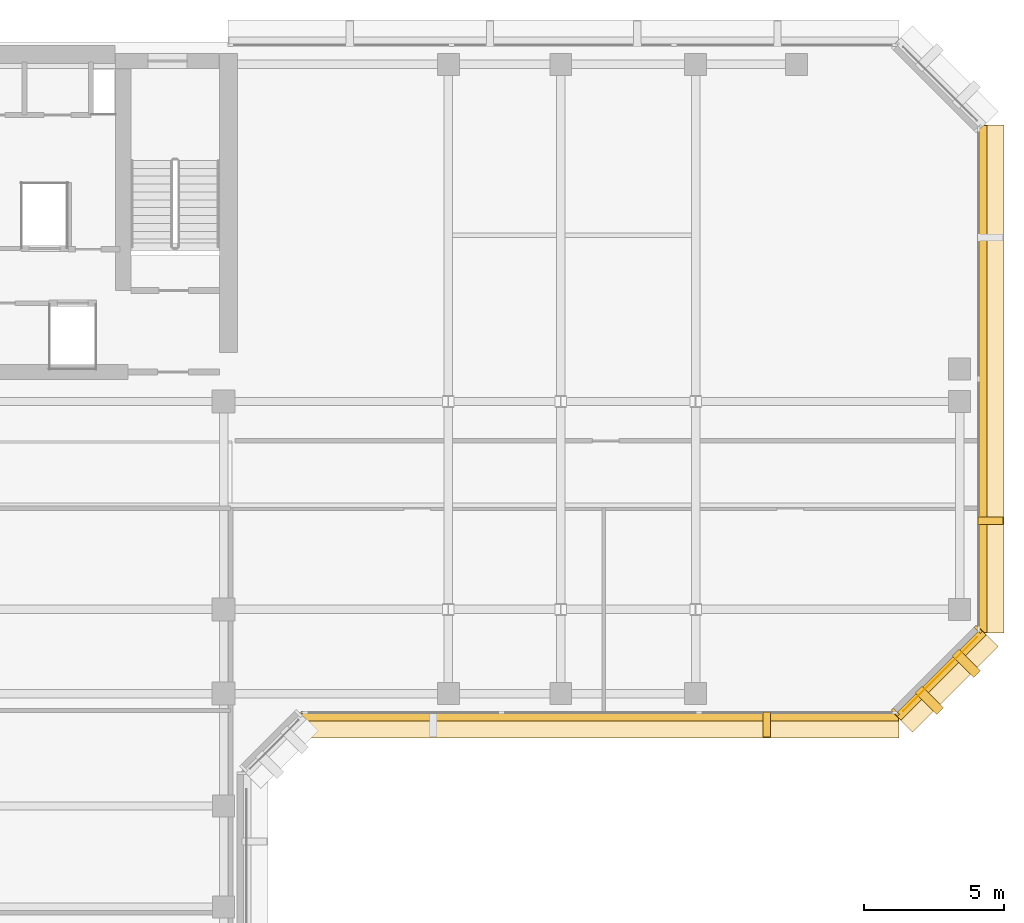
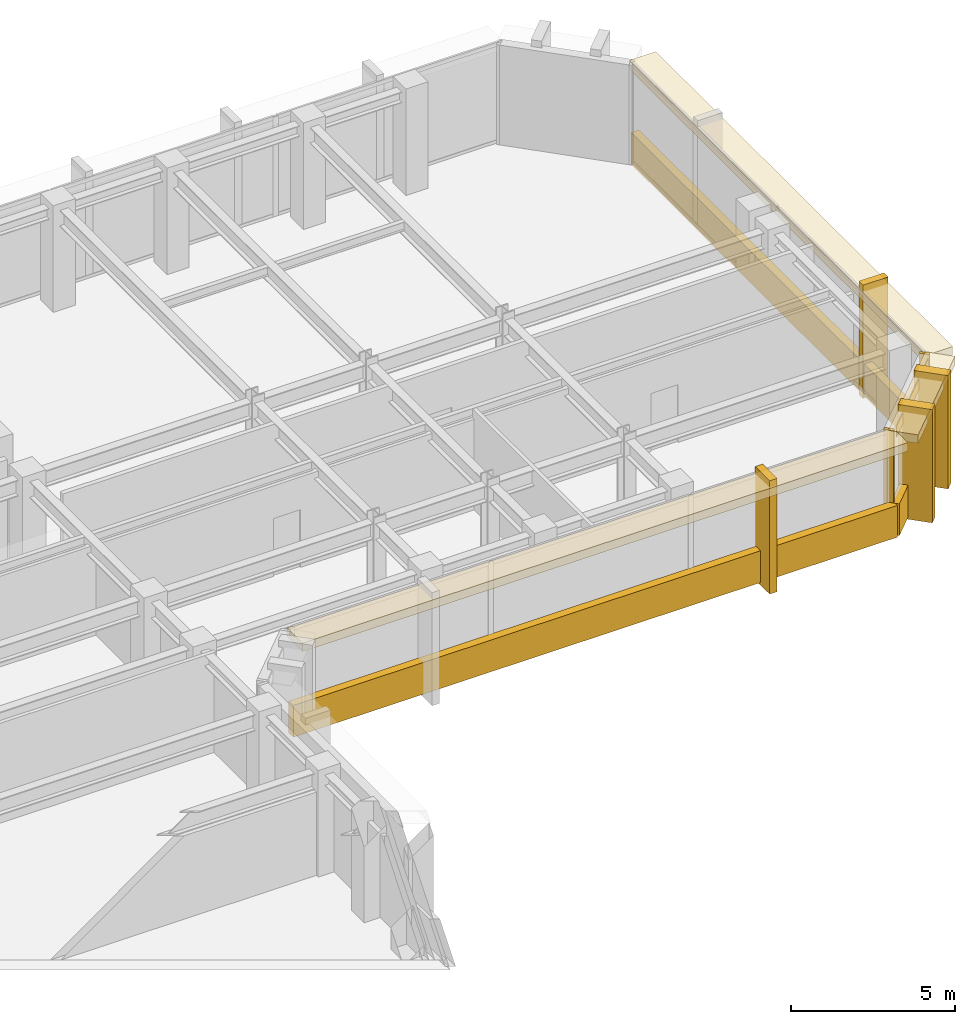
# One storey, part 10 of 12: 13 coverings.
"""IFC4 building model written with IfcOpenShell, lengths in metres."""

from ifc_helpers import new_model, si_unit, direction, frame, origin, origin_2d, place, context, subcontext, project, spatial, rectangle, extrude, material, layer, layer_set, type_object, element, save


model = new_model("IFC4")

# Units and contexts
model_context = context("Model", 3, precision=1e-05, world=origin(), true_north=direction((0.0, 1.0)))
body_context = subcontext(model_context, "Body", "Model", "MODEL_VIEW")
ifc_project = project(units=[si_unit("LENGTHUNIT", "METRE"), si_unit("AREAUNIT", "SQUARE_METRE"), si_unit("VOLUMEUNIT", "CUBIC_METRE"), si_unit("PLANEANGLEUNIT", "RADIAN"), si_unit("MASSUNIT", "GRAM", prefix="KILO")], contexts=[model_context])

# Site, building, storey
site_placement = place(None, origin())
site = spatial("IfcSite", under=ifc_project, at=site_placement, CompositionType="ELEMENT")
building_placement = place(site_placement, origin())
building = spatial("IfcBuilding", under=site, at=building_placement, Name="Kefirva Bronze Tower", CompositionType="ELEMENT")
storey_placement = place(building_placement, frame((0.0, 0.0, 264.330078125)))
storey = spatial("IfcBuildingStorey", under=building, at=storey_placement, Name="L64", CompositionType="ELEMENT", Elevation=264.330078125)

# Coverings
ifc_material = material(Name="Bronze anodised aluminium", Category="aluminium")
ifc_layer_1 = layer(ifc_material, 0.02001953125, Name="Bronze anodised aluminium")
ifc_layer_set_1 = layer_set([ifc_layer_1], Name="Bronze anodised aluminium")
covering_type_1 = type_object("IfcCoveringType", Name="Anodised Bronze Spandrel Cladding 20mm", PredefinedType="CLADDING", material=ifc_layer_set_1)
covering_1_placement = place(storey_placement, frame((36.60009765625, 21.9599609375, -0.16015625), z_axis=(0.0, 0.0, 1.0), x_axis=(1.0, 0.0, 0.0)))
element("IfcCovering", 1, at=covering_1_placement, inside=storey, type_object=covering_type_1, Name="L64 Streamline Horizontal Spandrel Band 8", PredefinedType="CLADDING", context=body_context, shape_type="SweptSolid", body=[
    extrude(rectangle(XDim=21.239990234375, YDim=0.280029296875, at=origin_2d()), origin(), (0.0, 0.0, 1.0), 1.179931640625),
])
covering_2_placement = place(storey_placement, frame((48.70703125, 23.492919921875, 3.2900390625), z_axis=(0.0, 0.0, 1.0), x_axis=(0.707106781187, 0.707106781187, 0.0)))
element("IfcCovering", 2, at=covering_2_placement, inside=storey, type_object=covering_type_1, Name="L64 Bronze Spandrel Cladding 7", PredefinedType="CLADDING", context=body_context, shape_type="SweptSolid", body=[
    extrude(rectangle(XDim=3.719482421875, YDim=0.02001953125, at=origin_2d()), origin(), (0.0, 0.0, 1.0), 0.39990234375),
])
for number, where, z_axis, x_axis, name in (
    (3, (47.11181640625, 22.137939453125, 0.0), (0.0, 0.0, 1.0), (0.707106781187, 0.707106781187, 0.0), "L64 Facade Joint Closure Panel 7S"),
    (4, (50.06201171875, 25.08837890625, 0.0), (0.0, 0.0, 1.0), (0.707106781187, 0.707106781187, 0.0), "L64 Facade Joint Closure Panel 7E"),
):
    element("IfcCovering", number, at=place(storey_placement, frame(where, z_axis=z_axis, x_axis=x_axis)), inside=storey, type_object=covering_type_1, Name=name, PredefinedType="CLADDING", context=body_context, shape_type="SweptSolid", body=[
        extrude(rectangle(XDim=0.10009765625, YDim=0.320068359375, at=origin_2d()), origin(), (0.0, 0.0, 1.0), 3.7099609375),
    ])
covering_3_placement = place(storey_placement, frame((48.728271484375, 23.4716796875, -0.16015625), z_axis=(0.0, 0.0, 1.0), x_axis=(0.707106781187, 0.707106781187, 0.0)))
element("IfcCovering", 5, at=covering_3_placement, inside=storey, type_object=covering_type_1, Name="L64 Streamline Horizontal Spandrel Band 9", PredefinedType="CLADDING", context=body_context, shape_type="SweptSolid", body=[
    extrude(rectangle(XDim=4.28271484375, YDim=0.280029296875, at=origin_2d()), origin(), (0.0, 0.0, 1.0), 1.179931640625),
])
covering_4_placement = place(storey_placement, frame((50.239990234375, 34.0, -0.16015625), z_axis=(0.0, 0.0, 1.0), x_axis=(0.0, 1.0, 0.0)))
element("IfcCovering", 6, at=covering_4_placement, inside=storey, type_object=covering_type_1, Name="L64 Streamline Horizontal Spandrel Band 10", PredefinedType="CLADDING", context=body_context, shape_type="SweptSolid", body=[
    extrude(rectangle(XDim=18.0400390625, YDim=0.280029296875, at=origin_2d()), origin(), (0.0, 0.0, 1.0), 1.179931640625),
])
ifc_layer_2 = layer(ifc_material, 0.179931640625, Name="Bronze anodised aluminium")
ifc_layer_set_2 = layer_set([ifc_layer_2], Name="Bronze anodised aluminium")
covering_type_2 = type_object("IfcCoveringType", Name="Streamline Bronze Sunshade Eyebrow Cladding 180mm", PredefinedType="CLADDING", material=ifc_layer_set_2)
covering_5_placement = place(storey_placement, frame((36.60009765625, 21.68994140625, 3.3896484375), z_axis=(0.0, 0.0, 1.0), x_axis=(1.0, 0.0, 0.0)))
element("IfcCovering", 7, at=covering_5_placement, inside=storey, type_object=covering_type_2, Name="L64 Streamline Bronze Sunshade Eyebrow 8", PredefinedType="CLADDING", context=body_context, shape_type="SweptSolid", body=[
    extrude(rectangle(XDim=21.280029296875, YDim=0.93994140625, at=origin_2d()), origin(), (0.0, 0.0, 1.0), 0.320068359375),
])
covering_6_placement = place(storey_placement, frame((48.919189453125, 23.28076171875, 3.3896484375), z_axis=(0.0, 0.0, 1.0), x_axis=(0.707106781187, 0.707106781187, 0.0)))
element("IfcCovering", 8, at=covering_6_placement, inside=storey, type_object=covering_type_2, Name="L64 Streamline Bronze Sunshade Eyebrow 9", PredefinedType="CLADDING", context=body_context, shape_type="SweptSolid", body=[
    extrude(rectangle(XDim=4.322509765625, YDim=0.93994140625, at=origin_2d()), origin(), (0.0, 0.0, 1.0), 0.320068359375),
])
covering_7_placement = place(storey_placement, frame((50.510009765625, 34.0, 3.3896484375), z_axis=(0.0, 0.0, 1.0), x_axis=(0.0, 1.0, 0.0)))
element("IfcCovering", 9, at=covering_7_placement, inside=storey, type_object=covering_type_2, Name="L64 Streamline Bronze Sunshade Eyebrow 10", PredefinedType="CLADDING", context=body_context, shape_type="SweptSolid", body=[
    extrude(rectangle(XDim=18.080078125, YDim=0.93994140625, at=origin_2d()), origin(), (0.0, 0.0, 1.0), 0.320068359375),
])
ifc_layer_3 = layer(ifc_material, 0.260009765625, Name="Bronze anodised aluminium")
ifc_layer_set_3 = layer_set([ifc_layer_3], Name="Bronze anodised aluminium")
covering_type_3 = type_object("IfcCoveringType", Name="Unbroken Bronze Buttress Fin Cladding 260mm", PredefinedType="CLADDING", material=ifc_layer_set_3)
covering_8_placement = place(storey_placement, frame((42.535888671875, 21.699951171875, -0.25), z_axis=(0.0, 0.0, 1.0), x_axis=(1.0, 0.0, 0.0)))
element("IfcCovering", 10, at=covering_8_placement, inside=storey, type_object=covering_type_3, Name="L64 Unbroken Vertical Bronze Rib Fin 10", PredefinedType="CLADDING", context=body_context, shape_type="SweptSolid", body=[
    extrude(rectangle(XDim=0.260009765625, YDim=0.8798828125, at=origin_2d()), origin(), (0.0, 0.0, 1.0), 4.2099609375),
])
for number, where, z_axis, x_axis, name in (
    (11, (48.32275390625, 22.55712890625, -0.25), (0.0, 0.0, 1.0), (0.707106781187, 0.707106781187, 0.0), "L64 Chamfered Corner Buttress Fin Cladding 11"),
    (12, (49.642822265625, 23.877197265625, -0.25), (0.0, 0.0, 1.0), (0.707106781187, 0.707106781187, 0.0), "L64 Chamfered Corner Buttress Fin Cladding 12"),
):
    element("IfcCovering", number, at=place(storey_placement, frame(where, z_axis=z_axis, x_axis=x_axis)), inside=storey, type_object=covering_type_3, Name=name, PredefinedType="CLADDING", context=body_context, shape_type="SweptSolid", body=[
        extrude(rectangle(XDim=0.340087890625, YDim=1.080078125, at=origin_2d()), origin(), (0.0, 0.0, 1.0), 4.2099609375),
    ])
covering_9_placement = place(storey_placement, frame((50.5, 28.9599609375, -0.25), z_axis=(0.0, 0.0, 1.0), x_axis=(0.0, 1.0, 0.0)))
element("IfcCovering", 13, at=covering_9_placement, inside=storey, type_object=covering_type_3, Name="L64 Unbroken Vertical Bronze Rib Fin 13", PredefinedType="CLADDING", context=body_context, shape_type="SweptSolid", body=[
    extrude(rectangle(XDim=0.260009765625, YDim=0.8798828125, at=origin_2d()), origin(), (0.0, 0.0, 1.0), 4.2099609375),
])

save(model, "model.ifc")
